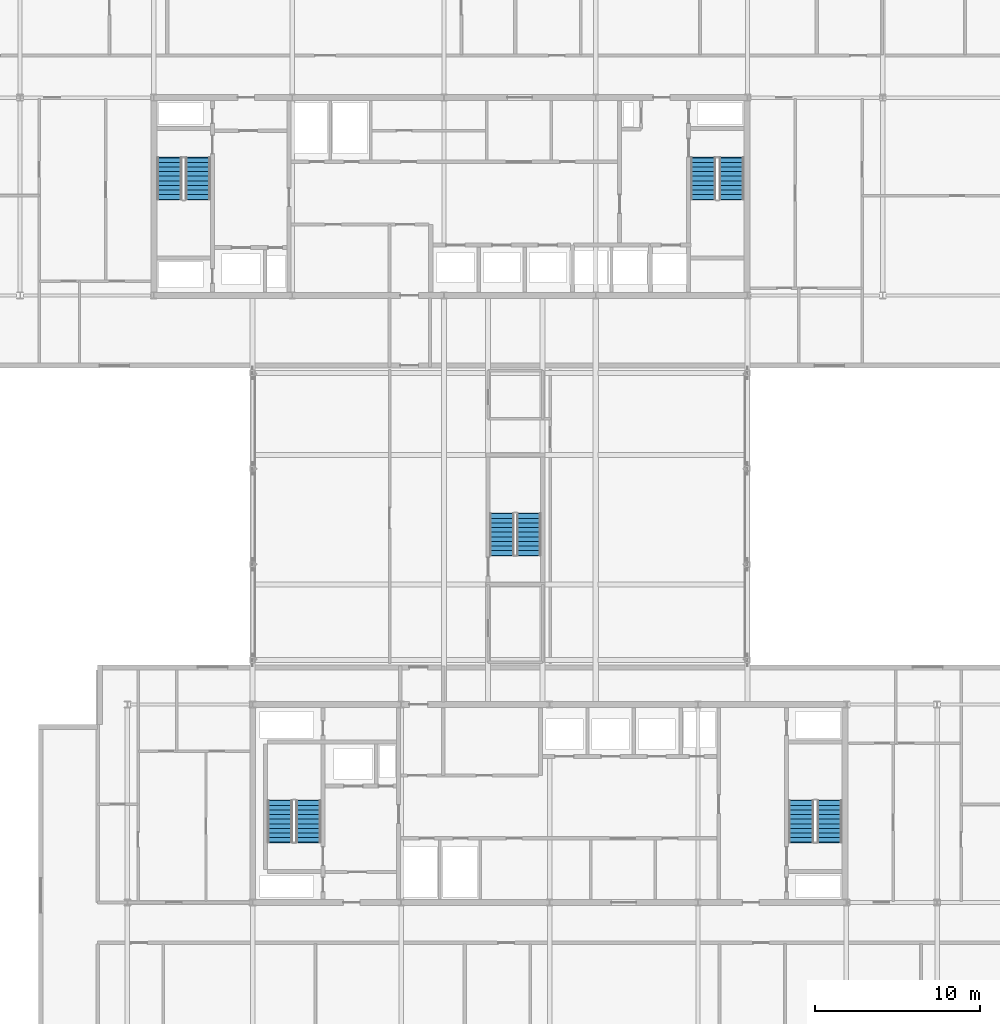
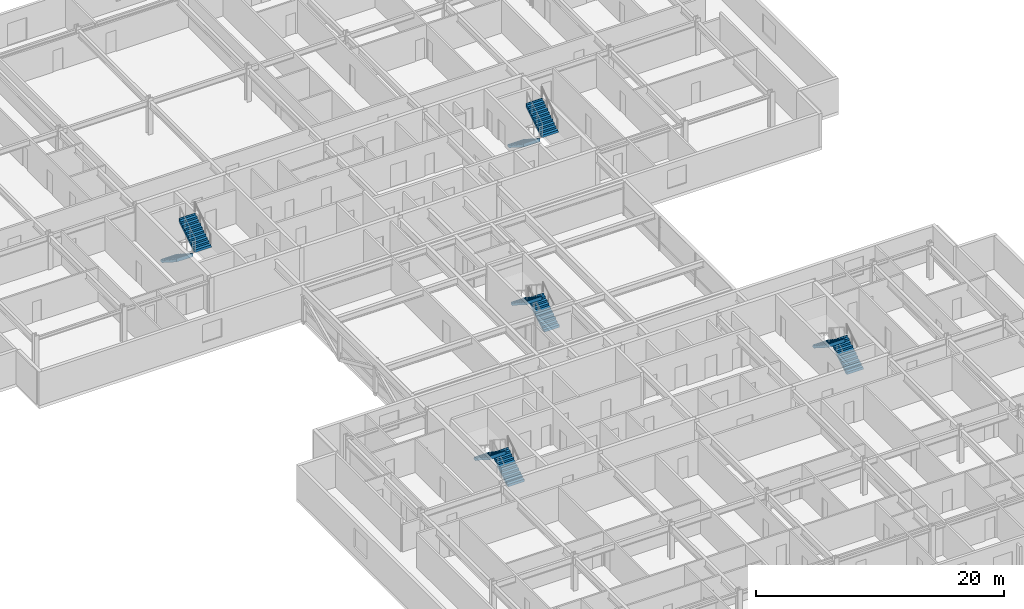
# One storey, part 30 of 36: 10 stair flights, 5 elements without a shape of their own.
"""IFC4 building model written with IfcOpenShell, lengths in metres."""

from ifc_helpers import new_model, si_unit, direction, frame, origin, place, context, subcontext, project, spatial, polyline, outline, extrude, material, type_object, element, aggregate, save


model = new_model("IFC4")

# Units and contexts
model_context = context("Model", 3, precision=1e-05, world=origin(), true_north=direction((0.0, 1.0)))
body_context = subcontext(model_context, "Body", "Model", "MODEL_VIEW")
ifc_project = project(units=[si_unit("LENGTHUNIT", "METRE"), si_unit("AREAUNIT", "SQUARE_METRE"), si_unit("VOLUMEUNIT", "CUBIC_METRE"), si_unit("PLANEANGLEUNIT", "RADIAN"), si_unit("MASSUNIT", "GRAM", prefix="KILO")], contexts=[model_context])

# Site, building, storey
site_placement = place(None, origin())
site = spatial("IfcSite", under=ifc_project, at=site_placement, CompositionType="ELEMENT")
building_placement = place(site_placement, origin())
building = spatial("IfcBuilding", under=site, at=building_placement, Name="Korimba Cascade Residences", CompositionType="ELEMENT")
storey_placement = place(building_placement, frame((0.0, 0.0, 142.89990234375)))
storey = spatial("IfcBuildingStorey", under=building, at=storey_placement, Name="L41", CompositionType="ELEMENT", Elevation=142.89990234375)

# Stair, stair flights
ifc_material = material(Name="Concrete C50/60", Category="concrete")
stair_type_1 = type_object("IfcStairType", Name="STR-BR1-20R-1800", PredefinedType="HALF_TURN_STAIR", material=ifc_material)
stair_1_placement = place(storey_placement, origin())
stair_1 = element("IfcStair", 1, at=stair_1_placement, inside=storey, type_object=stair_type_1, Name="L41 Mid-Bridge Feature Stair ST-BR1", PredefinedType="HALF_TURN_STAIR")
stair_flight_type_1 = type_object("IfcStairFlightType", Name="STF-DL-20R-1800-1430", PredefinedType="STRAIGHT", material=ifc_material)
stair_flight_1_placement = place(storey_placement, frame((98.844970703125, 39.449951171875, 0.0), z_axis=(0.0, 0.0, 1.0), x_axis=(0.0, 1.0, 0.0)))
stair_flight_1 = element("IfcStairFlight", 2, at=stair_flight_1_placement, type_object=stair_flight_type_1, Name="ST-BR1 flight 1", NumberOfRisers=10, NumberOfTreads=9, PredefinedType="STRAIGHT", RiserHeight=0.18, TreadLength=0.28, context=body_context, shape_type="SweptSolid", body=[
    extrude(outline(polyline([(-0.0380859375, 0.0), (0.0, 0.179931640625), (0.280029296875, 0.179931640625), (0.280029296875, 0.360107421875), (0.56005859375, 0.360107421875), (0.56005859375, 0.5400390625), (0.840087890625, 0.5400390625), (0.840087890625, 0.719970703125), (1.1201171875, 0.719970703125), (1.1201171875, 0.89990234375), (1.39990234375, 0.89990234375), (1.39990234375, 1.080078125), (1.679931640625, 1.080078125), (1.679931640625, 1.260009765625), (1.9599609375, 1.260009765625), (1.9599609375, 1.43994140625), (2.239990234375, 1.43994140625), (2.239990234375, 1.6201171875), (2.52001953125, 1.6201171875), (2.52001953125, 1.800048828125), (2.55810546875, 1.800048828125), (2.55810546875, 1.44189453125), (0.277099609375, 0.0), (0.277099609375, -0.0380859375), (-0.0380859375, -0.0380859375), (-0.0380859375, 0.0)])), frame((0.0, 0.71484375, 0.0), z_axis=(0.0, -1.0, 0.0), x_axis=(1.0, 0.0, 0.0)), (0.0, 0.0, 1.0), 1.429931640625),
])
stair_flight_2_placement = place(storey_placement, frame((97.215087890625, 41.969970703125, 1.800048828125), z_axis=(0.0, 0.0, 1.0), x_axis=(0.0, -1.0, 0.0)))
stair_flight_2 = element("IfcStairFlight", 3, at=stair_flight_2_placement, type_object=stair_flight_type_1, Name="ST-BR1 flight 2", NumberOfRisers=10, NumberOfTreads=9, PredefinedType="STRAIGHT", RiserHeight=0.18, TreadLength=0.28, context=body_context, shape_type="SweptSolid", body=[
    extrude(outline(polyline([(-0.0380859375, 0.0), (0.0, 0.179931640625), (0.280029296875, 0.179931640625), (0.280029296875, 0.360107421875), (0.56005859375, 0.360107421875), (0.56005859375, 0.5400390625), (0.840087890625, 0.5400390625), (0.840087890625, 0.719970703125), (1.1201171875, 0.719970703125), (1.1201171875, 0.89990234375), (1.39990234375, 0.89990234375), (1.39990234375, 1.080078125), (1.679931640625, 1.080078125), (1.679931640625, 1.260009765625), (1.9599609375, 1.260009765625), (1.9599609375, 1.43994140625), (2.239990234375, 1.43994140625), (2.239990234375, 1.6201171875), (2.52001953125, 1.6201171875), (2.52001953125, 1.800048828125), (2.55810546875, 1.800048828125), (2.55810546875, 1.44189453125), (0.277099609375, 0.0), (0.277099609375, -0.0380859375), (-0.0380859375, -0.0380859375), (-0.0380859375, 0.0)])), frame((0.0, 0.71484375, 0.0), z_axis=(0.0, -1.0, 0.0), x_axis=(1.0, 0.0, 0.0)), (0.0, 0.0, 1.0), 1.429931640625),
])
aggregate(stair_1, [stair_flight_1, stair_flight_2])

stair_type_2 = type_object("IfcStairType", Name="STR-W1-20R-1800", PredefinedType="HALF_TURN_STAIR", material=ifc_material)
stair_2_placement = place(storey_placement, origin())
stair_2 = element("IfcStair", 4, at=stair_2_placement, inside=storey, type_object=stair_type_2, Name="L41 Tower 1 West Fire Stair ST-W1", PredefinedType="HALF_TURN_STAIR")
stair_flight_type_2 = type_object("IfcStairFlightType", Name="STF-DL-20R-1800-1520", PredefinedType="STRAIGHT", material=ifc_material)
stair_flight_3_placement = place(storey_placement, frame((77.06005859375, 63.550048828125, 0.0), z_axis=(0.0, 0.0, 1.0), x_axis=(0.0, -1.0, 0.0)))
stair_flight_3 = element("IfcStairFlight", 5, at=stair_flight_3_placement, type_object=stair_flight_type_2, Name="ST-W1 flight 1", NumberOfRisers=10, NumberOfTreads=9, PredefinedType="STRAIGHT", RiserHeight=0.18, TreadLength=0.28, context=body_context, shape_type="SweptSolid", body=[
    extrude(outline(polyline([(-0.0380859375, 0.0), (0.0, 0.179931640625), (0.280029296875, 0.179931640625), (0.280029296875, 0.360107421875), (0.56005859375, 0.360107421875), (0.56005859375, 0.5400390625), (0.840087890625, 0.5400390625), (0.840087890625, 0.719970703125), (1.1201171875, 0.719970703125), (1.1201171875, 0.89990234375), (1.39990234375, 0.89990234375), (1.39990234375, 1.080078125), (1.679931640625, 1.080078125), (1.679931640625, 1.260009765625), (1.9599609375, 1.260009765625), (1.9599609375, 1.43994140625), (2.239990234375, 1.43994140625), (2.239990234375, 1.6201171875), (2.52001953125, 1.6201171875), (2.52001953125, 1.800048828125), (2.55810546875, 1.800048828125), (2.55810546875, 1.44189453125), (0.277099609375, 0.0), (0.277099609375, -0.0380859375), (-0.0380859375, -0.0380859375), (-0.0380859375, 0.0)])), frame((0.0, 0.760009765625, 0.0), z_axis=(0.0, -1.0, 0.0), x_axis=(1.0, 0.0, 0.0)), (0.0, 0.0, 1.0), 1.52001953125),
])
stair_flight_4_placement = place(storey_placement, frame((78.780029296875, 61.030029296875, 1.800048828125), z_axis=(0.0, 0.0, 1.0), x_axis=(0.0, 1.0, 0.0)))
stair_flight_4 = element("IfcStairFlight", 6, at=stair_flight_4_placement, type_object=stair_flight_type_2, Name="ST-W1 flight 2", NumberOfRisers=10, NumberOfTreads=9, PredefinedType="STRAIGHT", RiserHeight=0.18, TreadLength=0.28, context=body_context, shape_type="SweptSolid", body=[
    extrude(outline(polyline([(-0.0380859375, 0.0), (0.0, 0.179931640625), (0.280029296875, 0.179931640625), (0.280029296875, 0.360107421875), (0.56005859375, 0.360107421875), (0.56005859375, 0.5400390625), (0.840087890625, 0.5400390625), (0.840087890625, 0.719970703125), (1.1201171875, 0.719970703125), (1.1201171875, 0.89990234375), (1.39990234375, 0.89990234375), (1.39990234375, 1.080078125), (1.679931640625, 1.080078125), (1.679931640625, 1.260009765625), (1.9599609375, 1.260009765625), (1.9599609375, 1.43994140625), (2.239990234375, 1.43994140625), (2.239990234375, 1.6201171875), (2.52001953125, 1.6201171875), (2.52001953125, 1.800048828125), (2.55810546875, 1.800048828125), (2.55810546875, 1.44189453125), (0.277099609375, 0.0), (0.277099609375, -0.0380859375), (-0.0380859375, -0.0380859375), (-0.0380859375, 0.0)])), frame((0.0, 0.760009765625, 0.0), z_axis=(0.0, -1.0, 0.0), x_axis=(1.0, 0.0, 0.0)), (0.0, 0.0, 1.0), 1.52001953125),
])
aggregate(stair_2, [stair_flight_3, stair_flight_4])

stair_type_3 = type_object("IfcStairType", Name="STR-W2-20R-1800", PredefinedType="HALF_TURN_STAIR", material=ifc_material)
stair_3_placement = place(storey_placement, origin())
stair_3 = element("IfcStair", 7, at=stair_3_placement, inside=storey, type_object=stair_type_3, Name="L41 Tower 1 East Fire Stair ST-W2", PredefinedType="HALF_TURN_STAIR")
stair_flight_5_placement = place(storey_placement, frame((109.419921875, 63.550048828125, 0.0), z_axis=(0.0, 0.0, 1.0), x_axis=(0.0, -1.0, 0.0)))
stair_flight_5 = element("IfcStairFlight", 8, at=stair_flight_5_placement, type_object=stair_flight_type_2, Name="ST-W2 flight 1", NumberOfRisers=10, NumberOfTreads=9, PredefinedType="STRAIGHT", RiserHeight=0.18, TreadLength=0.28, context=body_context, shape_type="SweptSolid", body=[
    extrude(outline(polyline([(-0.0380859375, 0.0), (0.0, 0.179931640625), (0.280029296875, 0.179931640625), (0.280029296875, 0.360107421875), (0.56005859375, 0.360107421875), (0.56005859375, 0.5400390625), (0.840087890625, 0.5400390625), (0.840087890625, 0.719970703125), (1.1201171875, 0.719970703125), (1.1201171875, 0.89990234375), (1.39990234375, 0.89990234375), (1.39990234375, 1.080078125), (1.679931640625, 1.080078125), (1.679931640625, 1.260009765625), (1.9599609375, 1.260009765625), (1.9599609375, 1.43994140625), (2.239990234375, 1.43994140625), (2.239990234375, 1.6201171875), (2.52001953125, 1.6201171875), (2.52001953125, 1.800048828125), (2.55810546875, 1.800048828125), (2.55810546875, 1.44189453125), (0.277099609375, 0.0), (0.277099609375, -0.0380859375), (-0.0380859375, -0.0380859375), (-0.0380859375, 0.0)])), frame((0.0, 0.760009765625, 0.0), z_axis=(0.0, -1.0, 0.0), x_axis=(1.0, 0.0, 0.0)), (0.0, 0.0, 1.0), 1.52001953125),
])
stair_flight_6_placement = place(storey_placement, frame((111.139892578125, 61.030029296875, 1.800048828125), z_axis=(0.0, 0.0, 1.0), x_axis=(0.0, 1.0, 0.0)))
stair_flight_6 = element("IfcStairFlight", 9, at=stair_flight_6_placement, type_object=stair_flight_type_2, Name="ST-W2 flight 2", NumberOfRisers=10, NumberOfTreads=9, PredefinedType="STRAIGHT", RiserHeight=0.18, TreadLength=0.28, context=body_context, shape_type="SweptSolid", body=[
    extrude(outline(polyline([(-0.0380859375, 0.0), (0.0, 0.179931640625), (0.280029296875, 0.179931640625), (0.280029296875, 0.360107421875), (0.56005859375, 0.360107421875), (0.56005859375, 0.5400390625), (0.840087890625, 0.5400390625), (0.840087890625, 0.719970703125), (1.1201171875, 0.719970703125), (1.1201171875, 0.89990234375), (1.39990234375, 0.89990234375), (1.39990234375, 1.080078125), (1.679931640625, 1.080078125), (1.679931640625, 1.260009765625), (1.9599609375, 1.260009765625), (1.9599609375, 1.43994140625), (2.239990234375, 1.43994140625), (2.239990234375, 1.6201171875), (2.52001953125, 1.6201171875), (2.52001953125, 1.800048828125), (2.55810546875, 1.800048828125), (2.55810546875, 1.44189453125), (0.277099609375, 0.0), (0.277099609375, -0.0380859375), (-0.0380859375, -0.0380859375), (-0.0380859375, 0.0)])), frame((0.0, 0.760009765625, 0.0), z_axis=(0.0, -1.0, 0.0), x_axis=(1.0, 0.0, 0.0)), (0.0, 0.0, 1.0), 1.52001953125),
])
aggregate(stair_3, [stair_flight_5, stair_flight_6])

stair_type_4 = type_object("IfcStairType", Name="STR-E1-20R-1800", PredefinedType="HALF_TURN_STAIR", material=ifc_material)
stair_4_placement = place(storey_placement, origin())
stair_4 = element("IfcStair", 10, at=stair_4_placement, inside=storey, type_object=stair_type_4, Name="L41 Tower 2 West Fire Stair ST-E1", PredefinedType="HALF_TURN_STAIR")
stair_flight_7_placement = place(storey_placement, frame((85.47998046875, 22.050048828125, 0.0), z_axis=(0.0, 0.0, 1.0), x_axis=(0.0, 1.0, 0.0)))
stair_flight_7 = element("IfcStairFlight", 11, at=stair_flight_7_placement, type_object=stair_flight_type_2, Name="ST-E1 flight 1", NumberOfRisers=10, NumberOfTreads=9, PredefinedType="STRAIGHT", RiserHeight=0.18, TreadLength=0.28, context=body_context, shape_type="SweptSolid", body=[
    extrude(outline(polyline([(-0.0380859375, 0.0), (0.0, 0.179931640625), (0.280029296875, 0.179931640625), (0.280029296875, 0.360107421875), (0.56005859375, 0.360107421875), (0.56005859375, 0.5400390625), (0.840087890625, 0.5400390625), (0.840087890625, 0.719970703125), (1.1201171875, 0.719970703125), (1.1201171875, 0.89990234375), (1.39990234375, 0.89990234375), (1.39990234375, 1.080078125), (1.679931640625, 1.080078125), (1.679931640625, 1.260009765625), (1.9599609375, 1.260009765625), (1.9599609375, 1.43994140625), (2.239990234375, 1.43994140625), (2.239990234375, 1.6201171875), (2.52001953125, 1.6201171875), (2.52001953125, 1.800048828125), (2.55810546875, 1.800048828125), (2.55810546875, 1.44189453125), (0.277099609375, 0.0), (0.277099609375, -0.0380859375), (-0.0380859375, -0.0380859375), (-0.0380859375, 0.0)])), frame((0.0, 0.760009765625, 0.0), z_axis=(0.0, -1.0, 0.0), x_axis=(1.0, 0.0, 0.0)), (0.0, 0.0, 1.0), 1.52001953125),
])
stair_flight_8_placement = place(storey_placement, frame((83.760009765625, 24.570068359375, 1.800048828125), z_axis=(0.0, 0.0, 1.0), x_axis=(0.0, -1.0, 0.0)))
stair_flight_8 = element("IfcStairFlight", 12, at=stair_flight_8_placement, type_object=stair_flight_type_2, Name="ST-E1 flight 2", NumberOfRisers=10, NumberOfTreads=9, PredefinedType="STRAIGHT", RiserHeight=0.18, TreadLength=0.28, context=body_context, shape_type="SweptSolid", body=[
    extrude(outline(polyline([(-0.0380859375, 0.0), (0.0, 0.179931640625), (0.280029296875, 0.179931640625), (0.280029296875, 0.360107421875), (0.56005859375, 0.360107421875), (0.56005859375, 0.5400390625), (0.840087890625, 0.5400390625), (0.840087890625, 0.719970703125), (1.1201171875, 0.719970703125), (1.1201171875, 0.89990234375), (1.39990234375, 0.89990234375), (1.39990234375, 1.080078125), (1.679931640625, 1.080078125), (1.679931640625, 1.260009765625), (1.9599609375, 1.260009765625), (1.9599609375, 1.43994140625), (2.239990234375, 1.43994140625), (2.239990234375, 1.6201171875), (2.52001953125, 1.6201171875), (2.52001953125, 1.800048828125), (2.55810546875, 1.800048828125), (2.55810546875, 1.44189453125), (0.277099609375, 0.0), (0.277099609375, -0.0380859375), (-0.0380859375, -0.0380859375), (-0.0380859375, 0.0)])), frame((0.0, 0.760009765625, 0.0), z_axis=(0.0, -1.0, 0.0), x_axis=(1.0, 0.0, 0.0)), (0.0, 0.0, 1.0), 1.52001953125),
])
aggregate(stair_4, [stair_flight_7, stair_flight_8])

stair_type_5 = type_object("IfcStairType", Name="STR-E2-20R-1800", PredefinedType="HALF_TURN_STAIR", material=ifc_material)
stair_5_placement = place(storey_placement, origin())
stair_5 = element("IfcStair", 13, at=stair_5_placement, inside=storey, type_object=stair_type_5, Name="L41 Tower 2 East Fire Stair ST-E2", PredefinedType="HALF_TURN_STAIR")
stair_flight_9_placement = place(storey_placement, frame((117.080078125, 22.050048828125, 0.0), z_axis=(0.0, 0.0, 1.0), x_axis=(0.0, 1.0, 0.0)))
stair_flight_9 = element("IfcStairFlight", 14, at=stair_flight_9_placement, type_object=stair_flight_type_2, Name="ST-E2 flight 1", NumberOfRisers=10, NumberOfTreads=9, PredefinedType="STRAIGHT", RiserHeight=0.18, TreadLength=0.28, context=body_context, shape_type="SweptSolid", body=[
    extrude(outline(polyline([(-0.0380859375, 0.0), (0.0, 0.179931640625), (0.280029296875, 0.179931640625), (0.280029296875, 0.360107421875), (0.56005859375, 0.360107421875), (0.56005859375, 0.5400390625), (0.840087890625, 0.5400390625), (0.840087890625, 0.719970703125), (1.1201171875, 0.719970703125), (1.1201171875, 0.89990234375), (1.39990234375, 0.89990234375), (1.39990234375, 1.080078125), (1.679931640625, 1.080078125), (1.679931640625, 1.260009765625), (1.9599609375, 1.260009765625), (1.9599609375, 1.43994140625), (2.239990234375, 1.43994140625), (2.239990234375, 1.6201171875), (2.52001953125, 1.6201171875), (2.52001953125, 1.800048828125), (2.55810546875, 1.800048828125), (2.55810546875, 1.44189453125), (0.277099609375, 0.0), (0.277099609375, -0.0380859375), (-0.0380859375, -0.0380859375), (-0.0380859375, 0.0)])), frame((0.0, 0.760009765625, 0.0), z_axis=(0.0, -1.0, 0.0), x_axis=(1.0, 0.0, 0.0)), (0.0, 0.0, 1.0), 1.52001953125),
])
stair_flight_10_placement = place(storey_placement, frame((115.360107421875, 24.570068359375, 1.800048828125), z_axis=(0.0, 0.0, 1.0), x_axis=(0.0, -1.0, 0.0)))
stair_flight_10 = element("IfcStairFlight", 15, at=stair_flight_10_placement, type_object=stair_flight_type_2, Name="ST-E2 flight 2", NumberOfRisers=10, NumberOfTreads=9, PredefinedType="STRAIGHT", RiserHeight=0.18, TreadLength=0.28, context=body_context, shape_type="SweptSolid", body=[
    extrude(outline(polyline([(-0.0380859375, 0.0), (0.0, 0.179931640625), (0.280029296875, 0.179931640625), (0.280029296875, 0.360107421875), (0.56005859375, 0.360107421875), (0.56005859375, 0.5400390625), (0.840087890625, 0.5400390625), (0.840087890625, 0.719970703125), (1.1201171875, 0.719970703125), (1.1201171875, 0.89990234375), (1.39990234375, 0.89990234375), (1.39990234375, 1.080078125), (1.679931640625, 1.080078125), (1.679931640625, 1.260009765625), (1.9599609375, 1.260009765625), (1.9599609375, 1.43994140625), (2.239990234375, 1.43994140625), (2.239990234375, 1.6201171875), (2.52001953125, 1.6201171875), (2.52001953125, 1.800048828125), (2.55810546875, 1.800048828125), (2.55810546875, 1.44189453125), (0.277099609375, 0.0), (0.277099609375, -0.0380859375), (-0.0380859375, -0.0380859375), (-0.0380859375, 0.0)])), frame((0.0, 0.760009765625, 0.0), z_axis=(0.0, -1.0, 0.0), x_axis=(1.0, 0.0, 0.0)), (0.0, 0.0, 1.0), 1.52001953125),
])
aggregate(stair_5, [stair_flight_9, stair_flight_10])

save(model, "model.ifc")
